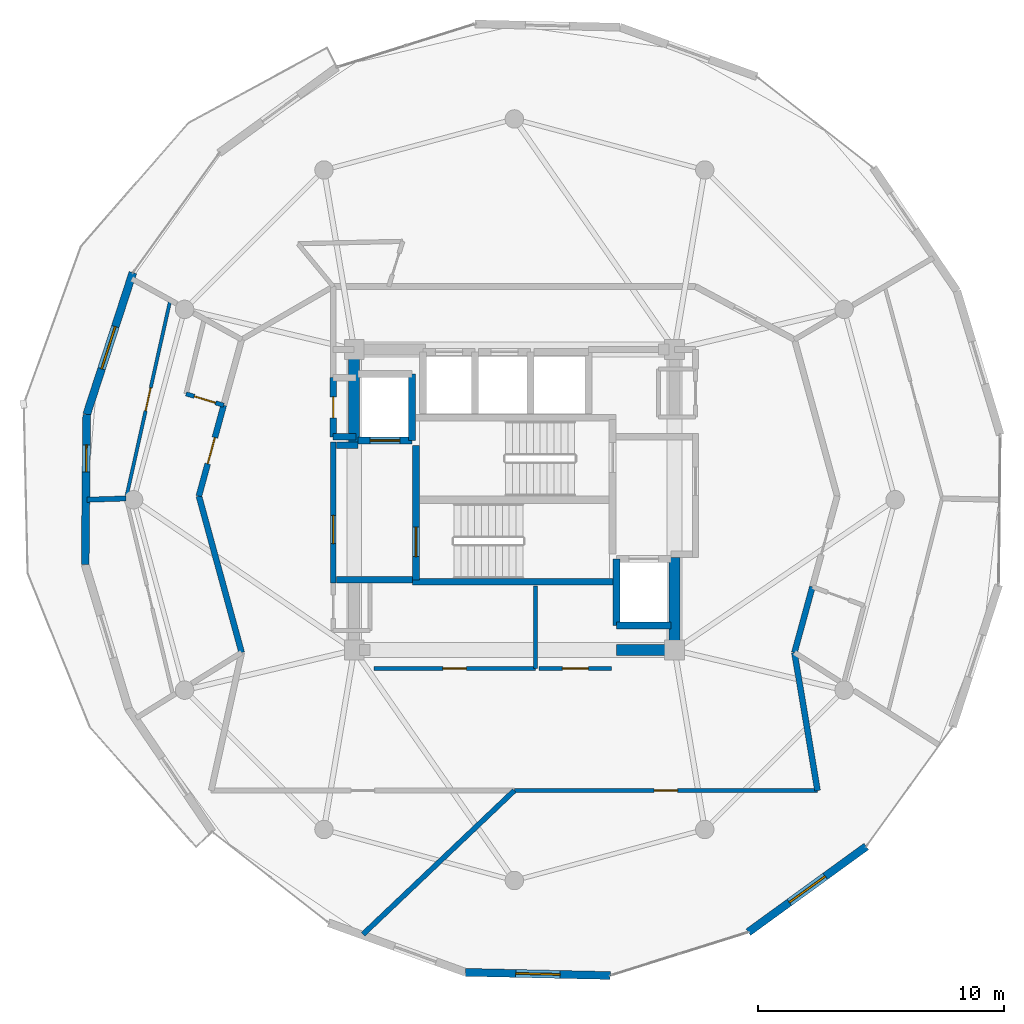
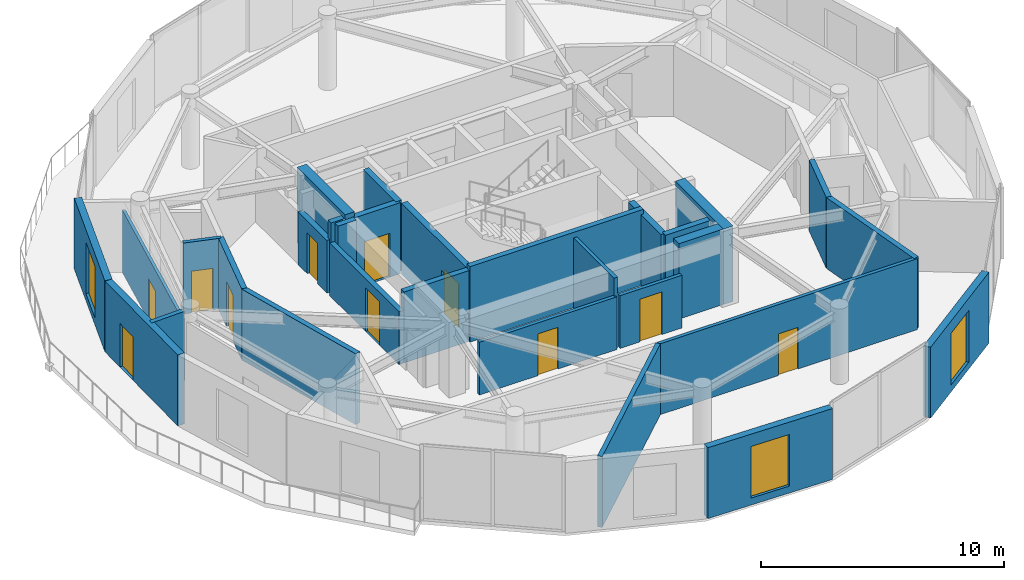
# One storey, part 15 of 19: 30 walls, 11 doors, 3 windows, 14 openings.
"""IFC4 building model written with IfcOpenShell, lengths in metres."""

from ifc_helpers import new_model, si_unit, direction, frame, frame_2d, origin, place, context, subcontext, project, spatial, rectangle, extrude, material, layer, layer_set, type_object, element, fill, save


model = new_model("IFC4")

# Units and contexts
model_context = context("Model", 3, precision=1e-05, world=origin(), true_north=direction((0.0, 1.0)))
body_context = subcontext(model_context, "Body", "Model", "MODEL_VIEW")
ifc_project = project(units=[si_unit("LENGTHUNIT", "METRE"), si_unit("AREAUNIT", "SQUARE_METRE"), si_unit("VOLUMEUNIT", "CUBIC_METRE"), si_unit("PLANEANGLEUNIT", "RADIAN"), si_unit("MASSUNIT", "GRAM", prefix="KILO")], contexts=[model_context])

# Site, building, storey
site_placement = place(None, origin())
site = spatial("IfcSite", under=ifc_project, at=site_placement, CompositionType="ELEMENT")
building_placement = place(site_placement, origin())
building = spatial("IfcBuilding", under=site, at=building_placement, Name="Solvirekh Grand Hotel", CompositionType="ELEMENT")
storey_placement = place(building_placement, frame((0.0, 0.0, 254.39990234375)))
storey = spatial("IfcBuildingStorey", under=building, at=storey_placement, Name="L66", CompositionType="ELEMENT", Elevation=254.39990234375)

# Wall
ifc_material_1 = material(Name="Concrete C50/60", Category="concrete")
ifc_layer_1 = layer(ifc_material_1, 0.35009765625)
ifc_layer_set_1 = layer_set([ifc_layer_1], Name="Concrete C50/60")
wall_type_1 = type_object("IfcWallType", Name="CoreDivWall_RC350", PredefinedType="SOLIDWALL", material=ifc_layer_set_1)
wall_1_placement = place(storey_placement, frame((-4.1298828125, -3.324951171875, 0.0), z_axis=(0.0, 0.0, 1.0), x_axis=(1.0, 0.0, 0.0)))
element("IfcWall", 1, at=wall_1_placement, inside=storey, type_object=wall_type_1, Name="L66 core stair box wall ST-S", PredefinedType="SOLIDWALL", context=body_context, shape_type="SweptSolid", body=[
    extrude(rectangle(XDim=8.259765625, YDim=0.25, at=frame_2d((4.1298828125, 0.0))), origin(), (0.0, 0.0, 1.0), 3.800048828125),
])

# Wall, opening, door
ifc_material_2 = material(Name="Concrete C40/50", Category="concrete")
ifc_layer_2 = layer(ifc_material_2, 0.280029296875)
ifc_layer_set_2 = layer_set([ifc_layer_2], Name="Concrete C40/50")
wall_type_2 = type_object("IfcWallType", Name="CoreShaftWall_RC280", PredefinedType="SOLIDWALL", material=ifc_layer_set_2)
wall_2_placement = place(storey_placement, frame((-6.35009765625, 2.39990234375, 0.0), z_axis=(0.0, 0.0, 1.0), x_axis=(1.0, 0.0, 0.0)))
wall_2 = element("IfcWall", 2, at=wall_2_placement, inside=storey, type_object=wall_type_2, Name="L66 FL-1 hoistway S wall", PredefinedType="SOLIDWALL", context=body_context, shape_type="SweptSolid", body=[
    extrude(rectangle(XDim=2.2001953125, YDim=0.280029296875, at=frame_2d((1.10009765625, 0.0))), origin(), (0.0, 0.0, 1.0), 3.570068359375),
])
opening_1_placement = place(wall_2_placement, frame((0.5, 0.0, 0.0)))
opening_1 = element("IfcOpeningElement", 3, at=opening_1_placement, cuts=wall_2, Name="Opening LD02", PredefinedType="OPENING", context=body_context, shape_type="SweptSolid", body=[
    extrude(rectangle(XDim=1.199951171875, YDim=2.199951171875, at=frame_2d((0.60009765625, 1.10009765625))), frame((0.0, 0.14990234375, 0.0), z_axis=(0.0, -1.0, 0.0), x_axis=(1.0, 0.0, 0.0)), (0.0, 0.0, 1.0), 0.300048828125),
])
ifc_material_3 = material(Name="Fire-Rated Steel Door Assembly", Category="steel")
door_type_1 = type_object("IfcDoorType", Name="Door_LiftFF_1200X2200", OperationType="SLIDING_TO_LEFT", PredefinedType="DOOR", material=ifc_material_3)
door_1_placement = place(opening_1_placement, origin())
door_1 = element("IfcDoor", 4, at=door_1_placement, inside=storey, type_object=door_type_1, Name="L66 FL-1 sliding lift landing door", OperationType="SLIDING_TO_LEFT", OverallHeight=2.199951171875, OverallWidth=1.199951171875, PredefinedType="DOOR", context=body_context, shape_type="SweptSolid", body=[
    extrude(rectangle(XDim=1.199951171875, YDim=2.199951171875, at=frame_2d((0.60009765625, 1.10009765625))), frame((0.0, 0.02490234375, 0.0), z_axis=(0.0, -1.0, 0.0), x_axis=(1.0, 0.0, 0.0)), (0.0, 0.0, 1.0), 0.050048828125),
])
fill(opening_1, door_1)

# Walls
wall_3_placement = place(storey_placement, frame((-4.14990234375, 2.39990234375, 0.0), z_axis=(0.0, 0.0, 1.0), x_axis=(0.0, 1.0, 0.0)))
element("IfcWall", 5, at=wall_3_placement, inside=storey, type_object=wall_type_2, Name="L66 FL-1 hoistway E wall", PredefinedType="SOLIDWALL", context=body_context, shape_type="SweptSolid", body=[
    extrude(rectangle(XDim=2.7001953125, YDim=0.280029296875, at=frame_2d((1.35009765625, 0.0))), origin(), (0.0, 0.0, 1.0), 3.570068359375),
])
wall_4_placement = place(storey_placement, frame((4.14990234375, -5.10009765625, 0.0), z_axis=(0.0, 0.0, 1.0), x_axis=(1.0, 0.0, 0.0)))
element("IfcWall", 6, at=wall_4_placement, inside=storey, type_object=wall_type_2, Name="L66 FL-2 hoistway S wall", PredefinedType="SOLIDWALL", context=body_context, shape_type="SweptSolid", body=[
    extrude(rectangle(XDim=2.2001953125, YDim=0.280029296875, at=frame_2d((1.10009765625, 0.0))), origin(), (0.0, 0.0, 1.0), 3.570068359375),
])
wall_5_placement = place(storey_placement, frame((4.14990234375, -2.39990234375, 0.0), z_axis=(0.0, 0.0, 1.0), x_axis=(0.0, -1.0, 0.0)))
element("IfcWall", 7, at=wall_5_placement, inside=storey, type_object=wall_type_2, Name="L66 FL-2 hoistway W wall", PredefinedType="SOLIDWALL", context=body_context, shape_type="SweptSolid", body=[
    extrude(rectangle(XDim=2.7001953125, YDim=0.280029296875, at=frame_2d((1.35009765625, 0.0))), origin(), (0.0, 0.0, 1.0), 3.570068359375),
])

# Wall, opening, door
wall_6_placement = place(storey_placement, frame((-3.989990234375, -3.25, 0.0), z_axis=(0.0, 0.0, 1.0), x_axis=(0.0, 1.0, 0.0)))
wall_6 = element("IfcWall", 8, at=wall_6_placement, inside=storey, type_object=wall_type_2, Name="L66 west stair landing enclosure wall", PredefinedType="SOLIDWALL", context=body_context, shape_type="SweptSolid", body=[
    extrude(rectangle(XDim=5.4599609375, YDim=0.280029296875, at=frame_2d((2.72998046875, 0.0))), origin(), (0.0, 0.0, 1.0), 3.570068359375),
])
opening_2_placement = place(wall_6_placement, frame((0.93701171875, 0.0, 0.0)))
opening_2 = element("IfcOpeningElement", 9, at=opening_2_placement, cuts=wall_6, Name="Opening D05", PredefinedType="OPENING", context=body_context, shape_type="SweptSolid", body=[
    extrude(rectangle(XDim=1.199951171875, YDim=2.199951171875, at=frame_2d((0.60009765625, 1.10009765625))), frame((0.0, 0.14990234375, 0.0), z_axis=(0.0, -1.0, 0.0), x_axis=(1.0, 0.0, 0.0)), (0.0, 0.0, 1.0), 0.300048828125),
])
door_type_2 = type_object("IfcDoorType", Name="Door_StairCore_1200X2200", OperationType="NOTDEFINED", PredefinedType="DOOR", material=ifc_material_3)
door_2_placement = place(opening_2_placement, origin())
door_2 = element("IfcDoor", 10, at=door_2_placement, inside=storey, type_object=door_type_2, Name="L66 exit stair ST-1 fire door", OperationType="SINGLE_SWING_LEFT", OverallHeight=2.199951171875, OverallWidth=1.199951171875, PredefinedType="DOOR", context=body_context, shape_type="SweptSolid", body=[
    extrude(rectangle(XDim=1.199951171875, YDim=2.199951171875, at=frame_2d((0.60009765625, 1.10009765625))), frame((0.0, 0.02490234375, 0.0), z_axis=(0.0, -1.0, 0.0), x_axis=(1.0, 0.0, 0.0)), (0.0, 0.0, 1.0), 0.050048828125),
])
fill(opening_2, door_2)

# Walls
ifc_layer_3 = layer(ifc_material_1, 0.449951171875)
ifc_layer_set_3 = layer_set([ifc_layer_3], Name="Concrete C50/60")
wall_type_3 = type_object("IfcWallType", Name="CoreWall_RC450", PredefinedType="SHEAR", material=ifc_layer_set_3)
wall_7_placement = place(storey_placement, frame((4.14990234375, -6.10009765625, 0.0), z_axis=(0.0, 0.0, 1.0), x_axis=(1.0, 0.0, 0.0)))
element("IfcWall", 11, at=wall_7_placement, inside=storey, type_object=wall_type_3, Name="L66 core corner shear wall SE-S", PredefinedType="SHEAR", context=body_context, shape_type="SweptSolid", body=[
    extrude(rectangle(XDim=2.125, YDim=0.449951171875, at=frame_2d((1.0625, 0.0))), origin(), (0.0, 0.0, 1.0), 3.800048828125),
])
for number, where, z_axis, x_axis, name in (
    (12, (-6.5, 2.35009765625, 0.0), (0.0, 0.0, 1.0), (0.0, 1.0, 0.0), "L66 core corner shear wall WN-W"),
    (13, (6.5, -6.324951171875, 0.0), (0.0, 0.0, 1.0), (0.0, 1.0, 0.0), "L66 core corner shear wall ES-E"),
):
    element("IfcWall", number, at=place(storey_placement, frame(where, z_axis=z_axis, x_axis=x_axis)), inside=storey, type_object=wall_type_3, Name=name, PredefinedType="SHEAR", context=body_context, shape_type="SweptSolid", body=[
        extrude(rectangle(XDim=3.974853515625, YDim=0.449951171875, at=frame_2d((1.9873046875, 0.0))), origin(), (0.0, 0.0, 1.0), 3.800048828125),
    ])

# Wall, opening, window
ifc_material_4 = material(Name="Precast concrete C45/55", Category="concrete")
ifc_layer_4 = layer(ifc_material_4, 0.320068359375)
ifc_layer_set_4 = layer_set([ifc_layer_4], Name="Precast concrete C45/55")
wall_type_4 = type_object("IfcWallType", Name="ExtLobbyWall_RC320", PredefinedType="SOLIDWALL", material=ifc_layer_set_4)
wall_8_placement = place(storey_placement, frame((14.279052734375, -14.070068359375, 0.0), z_axis=(0.0, 0.0, 1.0), x_axis=(-0.809039360343, -0.587754466946, 0.0)))
wall_8 = element("IfcWall", 14, at=wall_8_placement, inside=storey, type_object=wall_type_4, Name="L66 exterior structural wall chord 2", PredefinedType="SOLIDWALL", context=body_context, shape_type="SweptSolid", body=[
    extrude(rectangle(XDim=5.915771484375, YDim=0.320068359375, at=frame_2d((2.9580078125, 0.0))), origin(), (0.0, 0.0, 1.0), 3.570068359375),
])
opening_3_placement = place(wall_8_placement, frame((2.05810546875, 0.0, 0.35009765625)))
opening_3 = element("IfcOpeningElement", 15, at=opening_3_placement, cuts=wall_8, Name="Opening W02", PredefinedType="OPENING", context=body_context, shape_type="SweptSolid", body=[
    extrude(rectangle(XDim=1.800048828125, YDim=2.60009765625, at=frame_2d((0.89990234375, 1.300048828125))), frame((0.0, 0.169921875, 0.0), z_axis=(0.0, -1.0, 0.0), x_axis=(1.0, 0.0, 0.0)), (0.0, 0.0, 1.0), 0.340087890625),
])
ifc_material_5 = material(Name="Low-E Tinted Bronze Laminated Glass", Category="aluminium")
window_type = type_object("IfcWindowType", Name="Win_LobbyExt_1800X2600", PartitioningType="SINGLE_PANEL", PredefinedType="WINDOW", material=ifc_material_5)
window_1_placement = place(opening_3_placement, origin())
window_1 = element("IfcWindow", 16, at=window_1_placement, inside=storey, type_object=window_type, Name="L66 panoramic bronze-framed window 2", OverallHeight=2.60009765625, OverallWidth=1.800048828125, PartitioningType="SINGLE_PANEL", PredefinedType="WINDOW", context=body_context, shape_type="SweptSolid", body=[
    extrude(rectangle(XDim=1.800048828125, YDim=2.60009765625, at=frame_2d((0.89990234375, 1.300048828125))), frame((0.0, 0.030029296875, 0.0), z_axis=(0.0, -1.0, 0.0), x_axis=(1.0, 0.0, 0.0)), (0.0, 0.0, 1.0), 0.06005859375),
])
fill(opening_3, window_1)

wall_9_placement = place(storey_placement, frame((-17.35205078125, 3.4599609375, 0.0), z_axis=(0.0, 0.0, 1.0), x_axis=(0.30928580051, 0.950969133885, 0.0)))
wall_9 = element("IfcWall", 17, at=wall_9_placement, inside=storey, type_object=wall_type_4, Name="L66 exterior structural wall chord 14", PredefinedType="SOLIDWALL", context=body_context, shape_type="SweptSolid", body=[
    extrude(rectangle(XDim=6.052978515625, YDim=0.320068359375, at=frame_2d((3.0263671875, 0.0))), origin(), (0.0, 0.0, 1.0), 3.570068359375),
])
opening_4_placement = place(wall_9_placement, frame((1.948974609375, 0.0, 0.35009765625)))
opening_4 = element("IfcOpeningElement", 18, at=opening_4_placement, cuts=wall_9, Name="Opening W02", PredefinedType="OPENING", context=body_context, shape_type="SweptSolid", body=[
    extrude(rectangle(XDim=1.800048828125, YDim=2.60009765625, at=frame_2d((0.89990234375, 1.300048828125))), frame((0.0, 0.169921875, 0.0), z_axis=(0.0, -1.0, 0.0), x_axis=(1.0, 0.0, 0.0)), (0.0, 0.0, 1.0), 0.340087890625),
])
window_2_placement = place(opening_4_placement, origin())
window_2 = element("IfcWindow", 19, at=window_2_placement, inside=storey, type_object=window_type, Name="L66 panoramic bronze-framed window 14", OverallHeight=2.60009765625, OverallWidth=1.800048828125, PartitioningType="SINGLE_PANEL", PredefinedType="WINDOW", context=body_context, shape_type="SweptSolid", body=[
    extrude(rectangle(XDim=1.800048828125, YDim=2.60009765625, at=frame_2d((0.89990234375, 1.300048828125))), frame((0.0, 0.030029296875, 0.0), z_axis=(0.0, -1.0, 0.0), x_axis=(1.0, 0.0, 0.0)), (0.0, 0.0, 1.0), 0.06005859375),
])
fill(opening_4, window_2)

# Wall, opening, door
wall_10_placement = place(storey_placement, frame((-17.4140625, -2.635009765625, 0.0), z_axis=(0.0, 0.0, 1.0), x_axis=(0.010173717388, 0.999948246398, 0.0)))
wall_10 = element("IfcWall", 20, at=wall_10_placement, inside=storey, type_object=wall_type_4, Name="L66 exterior structural wall chord 15", PredefinedType="SOLIDWALL", context=body_context, shape_type="SweptSolid", body=[
    extrude(rectangle(XDim=6.09521484375, YDim=0.320068359375, at=frame_2d((3.047607421875, 0.0))), origin(), (0.0, 0.0, 1.0), 3.570068359375),
])
opening_5_placement = place(wall_10_placement, frame((3.764892578125, 0.0, 0.0)))
opening_5 = element("IfcOpeningElement", 21, at=opening_5_placement, cuts=wall_10, Name="Opening D03", PredefinedType="OPENING", context=body_context, shape_type="SweptSolid", body=[
    extrude(rectangle(XDim=1.10009765625, YDim=2.199951171875, at=frame_2d((0.550048828125, 1.10009765625))), frame((0.0, 0.169921875, 0.0), z_axis=(0.0, -1.0, 0.0), x_axis=(1.0, 0.0, 0.0)), (0.0, 0.0, 1.0), 0.340087890625),
])
ifc_material_6 = material(Name="Anodized Bronze Aluminium 6063-T6", Category="aluminium")
door_type_3 = type_object("IfcDoorType", Name="Door_ExtBalcony_1100X2200", OperationType="NOTDEFINED", PredefinedType="DOOR", material=ifc_material_6)
door_3_placement = place(opening_5_placement, origin())
door_3 = element("IfcDoor", 22, at=door_3_placement, inside=storey, type_object=door_type_3, Name="L66 Crescent balcony glazed door (15)", OperationType="SINGLE_SWING_LEFT", OverallHeight=2.199951171875, OverallWidth=1.10009765625, PredefinedType="DOOR", context=body_context, shape_type="SweptSolid", body=[
    extrude(rectangle(XDim=1.10009765625, YDim=2.199951171875, at=frame_2d((0.550048828125, 1.10009765625))), frame((0.0, 0.02490234375, 0.0), z_axis=(0.0, -1.0, 0.0), x_axis=(1.0, 0.0, 0.0)), (0.0, 0.0, 1.0), 0.050048828125),
])
fill(opening_5, door_3)

# Wall, opening, window
wall_11_placement = place(storey_placement, frame((3.89111328125, -19.305908203125, 0.0), z_axis=(0.0, 0.0, 1.0), x_axis=(-0.999755389007, 0.022117010435, 0.0)))
wall_11 = element("IfcWall", 23, at=wall_11_placement, inside=storey, type_object=wall_type_4, Name="L66 exterior structural wall chord 20", PredefinedType="SOLIDWALL", context=body_context, shape_type="SweptSolid", body=[
    extrude(rectangle(XDim=5.87255859375, YDim=0.320068359375, at=frame_2d((2.936279296875, 0.0))), origin(), (0.0, 0.0, 1.0), 3.570068359375),
])
opening_6_placement = place(wall_11_placement, frame((2.035888671875, 0.0, 0.35009765625)))
opening_6 = element("IfcOpeningElement", 24, at=opening_6_placement, cuts=wall_11, Name="Opening W02", PredefinedType="OPENING", context=body_context, shape_type="SweptSolid", body=[
    extrude(rectangle(XDim=1.800048828125, YDim=2.60009765625, at=frame_2d((0.89990234375, 1.300048828125))), frame((0.0, 0.169921875, 0.0), z_axis=(0.0, -1.0, 0.0), x_axis=(1.0, 0.0, 0.0)), (0.0, 0.0, 1.0), 0.340087890625),
])
window_3_placement = place(opening_6_placement, origin())
window_3 = element("IfcWindow", 25, at=window_3_placement, inside=storey, type_object=window_type, Name="L66 panoramic bronze-framed window 20", OverallHeight=2.60009765625, OverallWidth=1.800048828125, PartitioningType="SINGLE_PANEL", PredefinedType="WINDOW", context=body_context, shape_type="SweptSolid", body=[
    extrude(rectangle(XDim=1.800048828125, YDim=2.60009765625, at=frame_2d((0.89990234375, 1.300048828125))), frame((0.0, 0.030029296875, 0.0), z_axis=(0.0, -1.0, 0.0), x_axis=(1.0, 0.0, 0.0)), (0.0, 0.0, 1.0), 0.06005859375),
])
fill(opening_6, window_3)

# Wall, opening, door
ifc_material_7 = material(Name="Acoustic Gypsum Partition Assembly")
ifc_layer_5 = layer(ifc_material_7, 0.1650390625)
ifc_layer_set_5 = layer_set([ifc_layer_5], Name="Acoustic Gypsum Partition Assembly")
wall_type_5 = type_object("IfcWallType", Name="Part_BOH_165", PredefinedType="PARTITIONING", material=ifc_layer_set_5)
wall_12_placement = place(storey_placement, frame((-5.699951171875, -6.85009765625, 0.0), z_axis=(0.0, 0.0, 1.0), x_axis=(1.0, 0.0, 0.0)))
wall_12 = element("IfcWall", 26, at=wall_12_placement, inside=storey, type_object=wall_type_5, Name="L66 Housekeeping Linen Room wall 1", PredefinedType="PARTITIONING", context=body_context, shape_type="SweptSolid", body=[
    extrude(rectangle(XDim=6.550048828125, YDim=0.1650390625, at=frame_2d((3.27490234375, 0.0))), origin(), (0.0, 0.0, 1.0), 2.655029296875),
])
opening_7_placement = place(wall_12_placement, frame((2.800048828125, 0.0, 0.0)))
opening_7 = element("IfcOpeningElement", 27, at=opening_7_placement, cuts=wall_12, Name="Opening D10", PredefinedType="OPENING", context=body_context, shape_type="SweptSolid", body=[
    extrude(rectangle(XDim=0.949951171875, YDim=2.10009765625, at=frame_2d((0.47509765625, 1.050048828125))), frame((0.0, 0.092529296875, 0.0), z_axis=(0.0, -1.0, 0.0), x_axis=(1.0, 0.0, 0.0)), (0.0, 0.0, 1.0), 0.18505859375),
])
door_type_4 = type_object("IfcDoorType", Name="Door_RoomInt_950X2100", OperationType="NOTDEFINED", PredefinedType="DOOR", material=ifc_material_6)
door_4_placement = place(opening_7_placement, origin())
door_4 = element("IfcDoor", 28, at=door_4_placement, inside=storey, type_object=door_type_4, Name="L66 Housekeeping Linen Room door", OperationType="SINGLE_SWING_RIGHT", OverallHeight=2.10009765625, OverallWidth=0.949951171875, PredefinedType="DOOR", context=body_context, shape_type="SweptSolid", body=[
    extrude(rectangle(XDim=0.949951171875, YDim=2.10009765625, at=frame_2d((0.47509765625, 1.050048828125))), frame((0.0, 0.02490234375, 0.0), z_axis=(0.0, -1.0, 0.0), x_axis=(1.0, 0.0, 0.0)), (0.0, 0.0, 1.0), 0.050048828125),
])
fill(opening_7, door_4)

# Wall
wall_13_placement = place(storey_placement, frame((0.85009765625, -6.85009765625, 0.0), z_axis=(0.0, 0.0, 1.0), x_axis=(0.0, 1.0, 0.0)))
element("IfcWall", 29, at=wall_13_placement, inside=storey, type_object=wall_type_5, Name="L66 Housekeeping Linen Room wall 2", PredefinedType="PARTITIONING", context=body_context, shape_type="SweptSolid", body=[
    extrude(rectangle(XDim=3.35009765625, YDim=0.1650390625, at=frame_2d((1.675048828125, 0.0))), origin(), (0.0, 0.0, 1.0), 3.570068359375),
])

# Wall, opening, door
wall_14_placement = place(storey_placement, frame((1.0, -6.85009765625, 0.0), z_axis=(0.0, 0.0, 1.0), x_axis=(1.0, 0.0, 0.0)))
wall_14 = element("IfcWall", 30, at=wall_14_placement, inside=storey, type_object=wall_type_5, Name="L66 Chilled Water Manifold Room wall 1", PredefinedType="PARTITIONING", context=body_context, shape_type="SweptSolid", body=[
    extrude(rectangle(XDim=2.949951171875, YDim=0.1650390625, at=frame_2d((1.47509765625, 0.0))), origin(), (0.0, 0.0, 1.0), 2.655029296875),
])
opening_8_placement = place(wall_14_placement, frame((0.949951171875, 0.0, 0.0)))
opening_8 = element("IfcOpeningElement", 31, at=opening_8_placement, cuts=wall_14, Name="Opening D12", PredefinedType="OPENING", context=body_context, shape_type="SweptSolid", body=[
    extrude(rectangle(XDim=1.050048828125, YDim=2.14990234375, at=frame_2d((0.52490234375, 1.074951171875))), frame((0.0, 0.092529296875, 0.0), z_axis=(0.0, -1.0, 0.0), x_axis=(1.0, 0.0, 0.0)), (0.0, 0.0, 1.0), 0.18505859375),
])
door_type_5 = type_object("IfcDoorType", Name="Door_PlantBOH_1050X2150", OperationType="NOTDEFINED", PredefinedType="DOOR", material=ifc_material_3)
door_5_placement = place(opening_8_placement, origin())
door_5 = element("IfcDoor", 32, at=door_5_placement, inside=storey, type_object=door_type_5, Name="L66 Chilled Water Manifold Room door", OperationType="SINGLE_SWING_LEFT", OverallHeight=2.14990234375, OverallWidth=1.050048828125, PredefinedType="DOOR", context=body_context, shape_type="SweptSolid", body=[
    extrude(rectangle(XDim=1.050048828125, YDim=2.14990234375, at=frame_2d((0.52490234375, 1.074951171875))), frame((0.0, 0.02490234375, 0.0), z_axis=(0.0, -1.0, 0.0), x_axis=(1.0, 0.0, 0.0)), (0.0, 0.0, 1.0), 0.050048828125),
])
fill(opening_8, door_5)

wall_15_placement = place(storey_placement, frame((0.0, -11.800048828125, 0.0), z_axis=(0.0, 0.0, 1.0), x_axis=(1.0, 0.0, 0.0)))
wall_15 = element("IfcWall", 33, at=wall_15_placement, inside=storey, type_object=wall_type_5, Name="L66 L66 Butler Valet & Linen Steward Room entrance wall", PredefinedType="PARTITIONING", context=body_context, shape_type="SweptSolid", body=[
    extrude(rectangle(XDim=12.300048828125, YDim=0.1650390625, at=frame_2d((6.14990234375, 0.0))), origin(), (0.0, 0.0, 1.0), 3.570068359375),
])
opening_9_placement = place(wall_15_placement, frame((5.675048828125, 0.0, 0.0)))
opening_9 = element("IfcOpeningElement", 34, at=opening_9_placement, cuts=wall_15, Name="Opening D10", PredefinedType="OPENING", context=body_context, shape_type="SweptSolid", body=[
    extrude(rectangle(XDim=0.949951171875, YDim=2.10009765625, at=frame_2d((0.47509765625, 1.050048828125))), frame((0.0, 0.092529296875, 0.0), z_axis=(0.0, -1.0, 0.0), x_axis=(1.0, 0.0, 0.0)), (0.0, 0.0, 1.0), 0.18505859375),
])
door_6_placement = place(opening_9_placement, origin())
door_6 = element("IfcDoor", 35, at=door_6_placement, inside=storey, type_object=door_type_4, Name="L66 L66 Butler Valet & Linen Steward Room entrance door", OperationType="SINGLE_SWING_LEFT", OverallHeight=2.10009765625, OverallWidth=0.949951171875, PredefinedType="DOOR", context=body_context, shape_type="SweptSolid", body=[
    extrude(rectangle(XDim=0.949951171875, YDim=2.10009765625, at=frame_2d((0.47509765625, 1.050048828125))), frame((0.0, 0.02490234375, 0.0), z_axis=(0.0, -1.0, 0.0), x_axis=(1.0, 0.0, 0.0)), (0.0, 0.0, 1.0), 0.050048828125),
])
fill(opening_9, door_6)

ifc_layer_6 = layer(ifc_material_7, 0.239990234375)
ifc_layer_set_6 = layer_set([ifc_layer_6], Name="Acoustic Gypsum Partition Assembly")
wall_type_6 = type_object("IfcWallType", Name="Part_Corridor_240", PredefinedType="PARTITIONING", material=ifc_layer_set_6)
wall_16_placement = place(storey_placement, frame((-7.35009765625, -3.3798828125, 0.0), z_axis=(0.0, 0.0, 1.0), x_axis=(0.0, 1.0, 0.0)))
wall_16 = element("IfcWall", 36, at=wall_16_placement, inside=storey, type_object=wall_type_6, Name="L66 west firefighting lobby smoke screen wall", PredefinedType="PARTITIONING", context=body_context, shape_type="SweptSolid", body=[
    extrude(rectangle(XDim=5.719970703125, YDim=0.239990234375, at=frame_2d((2.85986328125, 0.0))), origin(), (0.0, 0.0, 1.0), 2.655029296875),
])
opening_10_placement = place(wall_16_placement, frame((1.59912109375, 0.0, 0.0)))
opening_10 = element("IfcOpeningElement", 37, at=opening_10_placement, cuts=wall_16, Name="Opening D06", PredefinedType="OPENING", context=body_context, shape_type="SweptSolid", body=[
    extrude(rectangle(XDim=1.14990234375, YDim=2.199951171875, at=frame_2d((0.574951171875, 1.10009765625))), frame((0.0, 0.1298828125, 0.0), z_axis=(0.0, -1.0, 0.0), x_axis=(1.0, 0.0, 0.0)), (0.0, 0.0, 1.0), 0.260009765625),
])
door_type_6 = type_object("IfcDoorType", Name="Door_FFLobby_1150X2200", OperationType="NOTDEFINED", PredefinedType="DOOR", material=ifc_material_3)
door_7_placement = place(opening_10_placement, origin())
door_7 = element("IfcDoor", 38, at=door_7_placement, inside=storey, type_object=door_type_6, Name="L66 west firefighting lobby smoke door", OperationType="SINGLE_SWING_LEFT", OverallHeight=2.199951171875, OverallWidth=1.14990234375, PredefinedType="DOOR", context=body_context, shape_type="SweptSolid", body=[
    extrude(rectangle(XDim=1.14990234375, YDim=2.199951171875, at=frame_2d((0.574951171875, 1.10009765625))), frame((0.0, 0.02490234375, 0.0), z_axis=(0.0, -1.0, 0.0), x_axis=(1.0, 0.0, 0.0)), (0.0, 0.0, 1.0), 0.050048828125),
])
fill(opening_10, door_7)

# Wall
wall_17_placement = place(storey_placement, frame((-12.800048828125, 0.14990234375, 0.0), z_axis=(0.0, 0.0, 1.0), x_axis=(0.263588113382, -0.964635323054, 0.0)))
element("IfcWall", 39, at=wall_17_placement, inside=storey, type_object=wall_type_6, Name="L66 Executive Suite 6802 Living Room corridor wall 1", PredefinedType="PARTITIONING", context=body_context, shape_type="SweptSolid", body=[
    extrude(rectangle(XDim=6.582763671875, YDim=0.239990234375, at=frame_2d((3.29150390625, 0.0))), origin(), (0.0, 0.0, 1.0), 3.570068359375),
])

# Wall, opening, door
wall_18_placement = place(storey_placement, frame((-11.7939453125, 3.8330078125, 0.0), z_axis=(0.0, 0.0, 1.0), x_axis=(-0.263512359615, -0.964656019693, 0.0)))
wall_18 = element("IfcWall", 40, at=wall_18_placement, inside=storey, type_object=wall_type_6, Name="L66 Executive Suite 6802 Living Room entrance wall", PredefinedType="PARTITIONING", context=body_context, shape_type="SweptSolid", body=[
    extrude(rectangle(XDim=3.818115234375, YDim=0.239990234375, at=frame_2d((1.9091796875, 0.0))), origin(), (0.0, 0.0, 1.0), 3.570068359375),
])
opening_11_placement = place(wall_18_placement, frame((1.35888671875, 0.0, 0.0)))
opening_11 = element("IfcOpeningElement", 41, at=opening_11_placement, cuts=wall_18, Name="Opening D08", PredefinedType="OPENING", context=body_context, shape_type="SweptSolid", body=[
    extrude(rectangle(XDim=1.10009765625, YDim=2.300048828125, at=frame_2d((0.550048828125, 1.14990234375))), frame((0.0, 0.1298828125, 0.0), z_axis=(0.0, -1.0, 0.0), x_axis=(1.0, 0.0, 0.0)), (0.0, 0.0, 1.0), 0.260009765625),
])
door_type_7 = type_object("IfcDoorType", Name="Door_SuiteEntry_1100X2300", OperationType="NOTDEFINED", PredefinedType="DOOR", material=ifc_material_3)
door_8_placement = place(opening_11_placement, origin())
door_8 = element("IfcDoor", 42, at=door_8_placement, inside=storey, type_object=door_type_7, Name="L66 Executive Suite 6802 Living Room entrance door", OperationType="SINGLE_SWING_LEFT", OverallHeight=2.300048828125, OverallWidth=1.10009765625, PredefinedType="DOOR", context=body_context, shape_type="SweptSolid", body=[
    extrude(rectangle(XDim=1.10009765625, YDim=2.300048828125, at=frame_2d((0.550048828125, 1.14990234375))), frame((0.0, 0.02490234375, 0.0), z_axis=(0.0, -1.0, 0.0), x_axis=(1.0, 0.0, 0.0)), (0.0, 0.0, 1.0), 0.050048828125),
])
fill(opening_11, door_8)

# Walls
wall_19_placement = place(storey_placement, frame((11.364990234375, -6.199951171875, 0.0), z_axis=(0.0, 0.0, 1.0), x_axis=(0.263670269996, 0.964612869871, 0.0)))
element("IfcWall", 43, at=wall_19_placement, inside=storey, type_object=wall_type_6, Name="L66 En-suite Bathroom 6803 corridor backing wall", PredefinedType="PARTITIONING", context=body_context, shape_type="SweptSolid", body=[
    extrude(rectangle(XDim=2.764892578125, YDim=0.239990234375, at=frame_2d((1.38232421875, 0.0))), origin(), (0.0, 0.0, 1.0), 3.570068359375),
])
wall_20_placement = place(storey_placement, frame((12.300048828125, -11.800048828125, 0.0), z_axis=(0.0, 0.0, 1.0), x_axis=(-0.164691848211, 0.986345068996, 0.0)))
element("IfcWall", 44, at=wall_20_placement, inside=storey, type_object=wall_type_6, Name="L66 L66 Butler Valet & Linen Steward Room corridor wall 1", PredefinedType="PARTITIONING", context=body_context, shape_type="SweptSolid", body=[
    extrude(rectangle(XDim=5.677734375, YDim=0.239990234375, at=frame_2d((2.8388671875, 0.0))), origin(), (0.0, 0.0, 1.0), 3.570068359375),
])
ifc_layer_7 = layer(ifc_material_7, 0.260009765625)
ifc_layer_set_7 = layer_set([ifc_layer_7], Name="Acoustic Gypsum Partition Assembly")
wall_type_7 = type_object("IfcWallType", Name="Part_LobbyFF_260", PredefinedType="PARTITIONING", material=ifc_layer_set_7)
wall_21_placement = place(storey_placement, frame((-7.22509765625, -3.25, 0.0), z_axis=(0.0, 0.0, 1.0), x_axis=(1.0, 0.0, 0.0)))
element("IfcWall", 45, at=wall_21_placement, inside=storey, type_object=wall_type_7, Name="L66 west firefighting lobby south partition", PredefinedType="PARTITIONING", context=body_context, shape_type="SweptSolid", body=[
    extrude(rectangle(XDim=3.09521484375, YDim=0.260009765625, at=frame_2d((1.547607421875, 0.0))), origin(), (0.0, 0.0, 1.0), 3.570068359375),
])
wall_22_placement = place(storey_placement, frame((-7.22509765625, 2.2099609375, 0.0), z_axis=(0.0, 0.0, 1.0), x_axis=(1.0, 0.0, 0.0)))
element("IfcWall", 46, at=wall_22_placement, inside=storey, type_object=wall_type_7, Name="L66 west firefighting lobby NW cheek", PredefinedType="PARTITIONING", context=body_context, shape_type="SweptSolid", body=[
    extrude(rectangle(XDim=0.875, YDim=0.260009765625, at=frame_2d((0.4375, 0.0))), origin(), (0.0, 0.0, 1.0), 3.570068359375),
])
wall_23_placement = place(storey_placement, frame((-7.35009765625, 2.550048828125, 0.0), z_axis=(0.0, 0.0, 1.0), x_axis=(1.0, 0.0, 0.0)))
element("IfcWall", 47, at=wall_23_placement, inside=storey, type_object=wall_type_7, Name="L66 NW telecom metering cupboard south wall", PredefinedType="PARTITIONING", context=body_context, shape_type="SweptSolid", body=[
    extrude(rectangle(XDim=0.93017578125, YDim=0.260009765625, at=frame_2d((0.465087890625, 0.0))), origin(), (0.0, 0.0, 1.0), 3.570068359375),
])

# Wall, opening, door
wall_24_placement = place(storey_placement, frame((-7.35009765625, 2.550048828125, 0.0), z_axis=(0.0, 0.0, 1.0), x_axis=(0.0, 1.0, 0.0)))
wall_24 = element("IfcWall", 48, at=wall_24_placement, inside=storey, type_object=wall_type_7, Name="L66 NW telecom metering cupboard access wall", PredefinedType="PARTITIONING", context=body_context, shape_type="SweptSolid", body=[
    extrude(rectangle(XDim=2.39990234375, YDim=0.260009765625, at=frame_2d((1.199951171875, 0.0))), origin(), (0.0, 0.0, 1.0), 2.655029296875),
])
opening_12_placement = place(wall_24_placement, frame((0.77490234375, 0.0, 0.0)))
opening_12 = element("IfcOpeningElement", 49, at=opening_12_placement, cuts=wall_24, Name="Opening D13", PredefinedType="OPENING", context=body_context, shape_type="SweptSolid", body=[
    extrude(rectangle(XDim=0.85009765625, YDim=2.050048828125, at=frame_2d((0.425048828125, 1.02490234375))), frame((0.0, 0.14013671875, 0.0), z_axis=(0.0, -1.0, 0.0), x_axis=(1.0, 0.0, 0.0)), (0.0, 0.0, 1.0), 0.280029296875),
])
door_type_8 = type_object("IfcDoorType", Name="Door_RiserShaft_850X2050", OperationType="NOTDEFINED", PredefinedType="DOOR", material=ifc_material_3)
door_9_placement = place(opening_12_placement, origin())
door_9 = element("IfcDoor", 50, at=door_9_placement, inside=storey, type_object=door_type_8, Name="L66 telecom metering cupboard access door", OperationType="SINGLE_SWING_LEFT", OverallHeight=2.050048828125, OverallWidth=0.85009765625, PredefinedType="DOOR", context=body_context, shape_type="SweptSolid", body=[
    extrude(rectangle(XDim=0.85009765625, YDim=2.050048828125, at=frame_2d((0.425048828125, 1.02490234375))), frame((0.0, 0.02490234375, 0.0), z_axis=(0.0, -1.0, 0.0), x_axis=(1.0, 0.0, 0.0)), (0.0, 0.0, 1.0), 0.050048828125),
])
fill(opening_12, door_9)

ifc_layer_8 = layer(ifc_material_7, 0.135009765625)
ifc_layer_set_8 = layer_set([ifc_layer_8], Name="Acoustic Gypsum Partition Assembly")
wall_type_8 = type_object("IfcWallType", Name="Part_RoomInt_135", PredefinedType="PARTITIONING", material=ifc_layer_set_8)
wall_25_placement = place(storey_placement, frame((-13.9619140625, 8.10009765625, 0.0), z_axis=(0.0, 0.0, 1.0), x_axis=(-0.217591893781, -0.976039839228, 0.0)))
wall_25 = element("IfcWall", 51, at=wall_25_placement, inside=storey, type_object=wall_type_8, Name="L66 Executive Suite 6802 Living Room bedroom screen wall", PredefinedType="PARTITIONING", context=body_context, shape_type="SweptSolid", body=[
    extrude(rectangle(XDim=8.24560546875, YDim=0.135009765625, at=frame_2d((4.122802734375, 0.0))), origin(), (0.0, 0.0, 1.0), 3.13818359375),
])
opening_13_placement = place(wall_25_placement, frame((3.64794921875, 0.0, 0.0)))
opening_13 = element("IfcOpeningElement", 52, at=opening_13_placement, cuts=wall_25, Name="Opening D10", PredefinedType="OPENING", context=body_context, shape_type="SweptSolid", body=[
    extrude(rectangle(XDim=0.949951171875, YDim=2.10009765625, at=frame_2d((0.47509765625, 1.050048828125))), frame((0.0, 0.07763671875, 0.0), z_axis=(0.0, -1.0, 0.0), x_axis=(1.0, 0.0, 0.0)), (0.0, 0.0, 1.0), 0.155029296875),
])
door_10_placement = place(opening_13_placement, origin())
door_10 = element("IfcDoor", 53, at=door_10_placement, inside=storey, type_object=door_type_4, Name="L66 Executive Suite 6802 Living Room master bedroom door", OperationType="SINGLE_SWING_RIGHT", OverallHeight=2.10009765625, OverallWidth=0.949951171875, PredefinedType="DOOR", context=body_context, shape_type="SweptSolid", body=[
    extrude(rectangle(XDim=0.949951171875, YDim=2.10009765625, at=frame_2d((0.47509765625, 1.050048828125))), frame((0.0, 0.02490234375, 0.0), z_axis=(0.0, -1.0, 0.0), x_axis=(1.0, 0.0, 0.0)), (0.0, 0.0, 1.0), 0.050048828125),
])
fill(opening_13, door_10)

# Walls
ifc_layer_9 = layer(ifc_material_7, 0.2099609375)
ifc_layer_set_9 = layer_set([ifc_layer_9], Name="Acoustic Gypsum Partition Assembly")
wall_type_9 = type_object("IfcWallType", Name="Part_SuiteDemise_210", PredefinedType="PARTITIONING", material=ifc_layer_set_9)
wall_26_placement = place(storey_placement, frame((-15.756103515625, 0.052001953125, 0.0), z_axis=(0.0, 0.0, 1.0), x_axis=(-0.999466150083, -0.032671315219, 0.0)))
element("IfcWall", 54, at=wall_26_placement, inside=storey, type_object=wall_type_9, Name="L66 Executive Suite 6802 Living Room dividing partition 1", PredefinedType="PARTITIONING", context=body_context, shape_type="SweptSolid", body=[
    extrude(rectangle(XDim=1.591552734375, YDim=0.2099609375, at=frame_2d((0.7958984375, 0.0))), origin(), (0.0, 0.0, 1.0), 3.570068359375),
])
wall_27_placement = place(storey_placement, frame((0.0, -11.800048828125, 0.0), z_axis=(0.0, 0.0, 1.0), x_axis=(-0.725050537947, -0.688695663862, 0.0)))
element("IfcWall", 55, at=wall_27_placement, inside=storey, type_object=wall_type_9, Name="L66 L66 Cloud View Resident Lounge dividing partition 1", PredefinedType="PARTITIONING", context=body_context, shape_type="SweptSolid", body=[
    extrude(rectangle(XDim=8.46826171875, YDim=0.2099609375, at=frame_2d((4.234130859375, 0.0))), origin(), (0.0, 0.0, 1.0), 3.570068359375),
])

# Wall, opening, door
ifc_layer_10 = layer(ifc_material_7, 0.175048828125)
ifc_layer_set_10 = layer_set([ifc_layer_10], Name="Acoustic Gypsum Partition Assembly")
wall_type_10 = type_object("IfcWallType", Name="Plumb_Ensuite_175", PredefinedType="PLUMBINGWALL", material=ifc_layer_set_10)
wall_28_placement = place(storey_placement, frame((-11.7939453125, 3.8330078125, 0.0), z_axis=(0.0, 0.0, 1.0), x_axis=(-0.956840351484, 0.290614077036, 0.0)))
wall_28 = element("IfcWall", 56, at=wall_28_placement, inside=storey, type_object=wall_type_10, Name="L66 En-suite Bathroom 6802 entry plumbing wall", PredefinedType="PLUMBINGWALL", context=body_context, shape_type="SweptSolid", body=[
    extrude(rectangle(XDim=1.596923828125, YDim=0.175048828125, at=frame_2d((0.79833984375, 0.0))), origin(), (0.0, 0.0, 1.0), 3.570068359375),
])
opening_14_placement = place(wall_28_placement, frame((0.347900390625, 0.0, 0.0)))
opening_14 = element("IfcOpeningElement", 57, at=opening_14_placement, cuts=wall_28, Name="Opening D09", PredefinedType="OPENING", context=body_context, shape_type="SweptSolid", body=[
    extrude(rectangle(XDim=0.89990234375, YDim=2.10009765625, at=frame_2d((0.449951171875, 1.050048828125))), frame((0.0, 0.09765625, 0.0), z_axis=(0.0, -1.0, 0.0), x_axis=(1.0, 0.0, 0.0)), (0.0, 0.0, 1.0), 0.195068359375),
])
door_type_9 = type_object("IfcDoorType", Name="Door_Ensuite_900X2100", OperationType="NOTDEFINED", PredefinedType="DOOR", material=ifc_material_6)
door_11_placement = place(opening_14_placement, origin())
door_11 = element("IfcDoor", 58, at=door_11_placement, inside=storey, type_object=door_type_9, Name="L66 En-suite Bathroom 6802 door", OperationType="SINGLE_SWING_RIGHT", OverallHeight=2.10009765625, OverallWidth=0.89990234375, PredefinedType="DOOR", context=body_context, shape_type="SweptSolid", body=[
    extrude(rectangle(XDim=0.89990234375, YDim=2.10009765625, at=frame_2d((0.449951171875, 1.050048828125))), frame((0.0, 0.02490234375, 0.0), z_axis=(0.0, -1.0, 0.0), x_axis=(1.0, 0.0, 0.0)), (0.0, 0.0, 1.0), 0.050048828125),
])
fill(opening_14, door_11)

save(model, "model.ifc")
